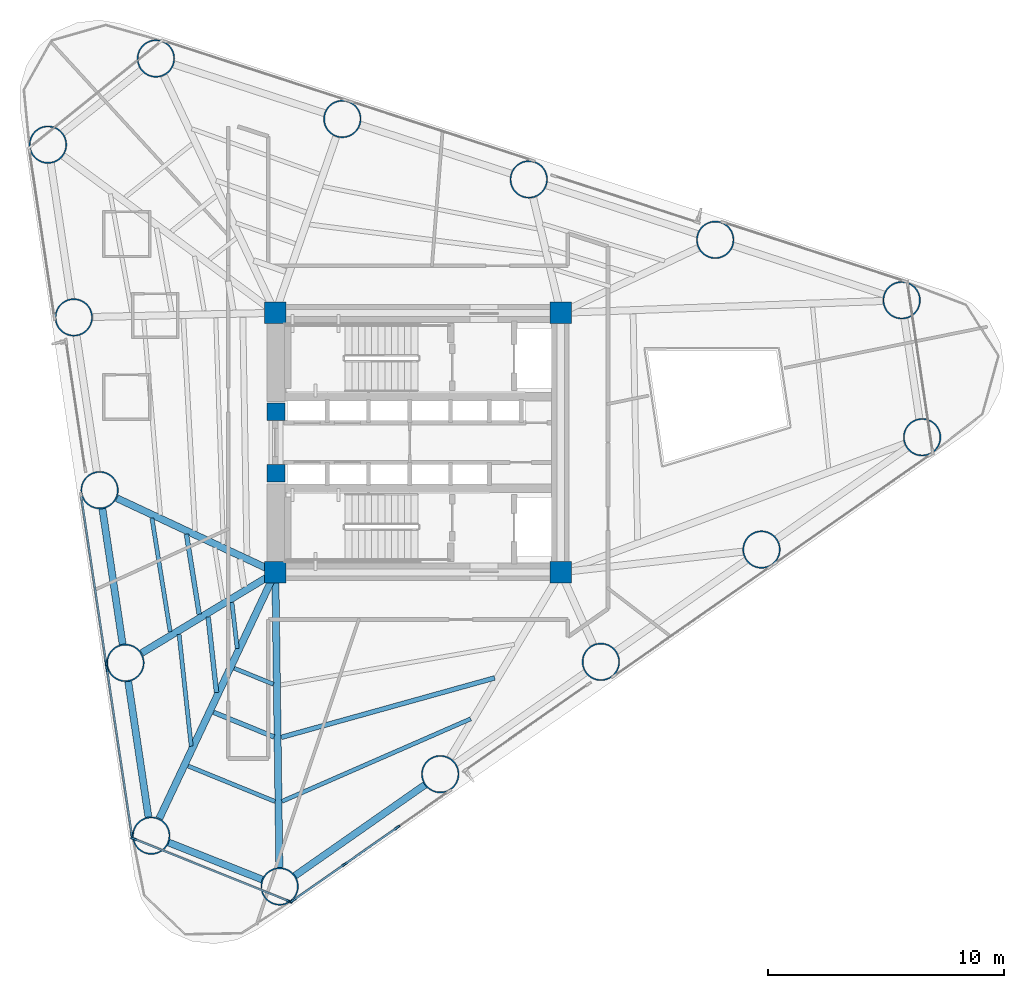
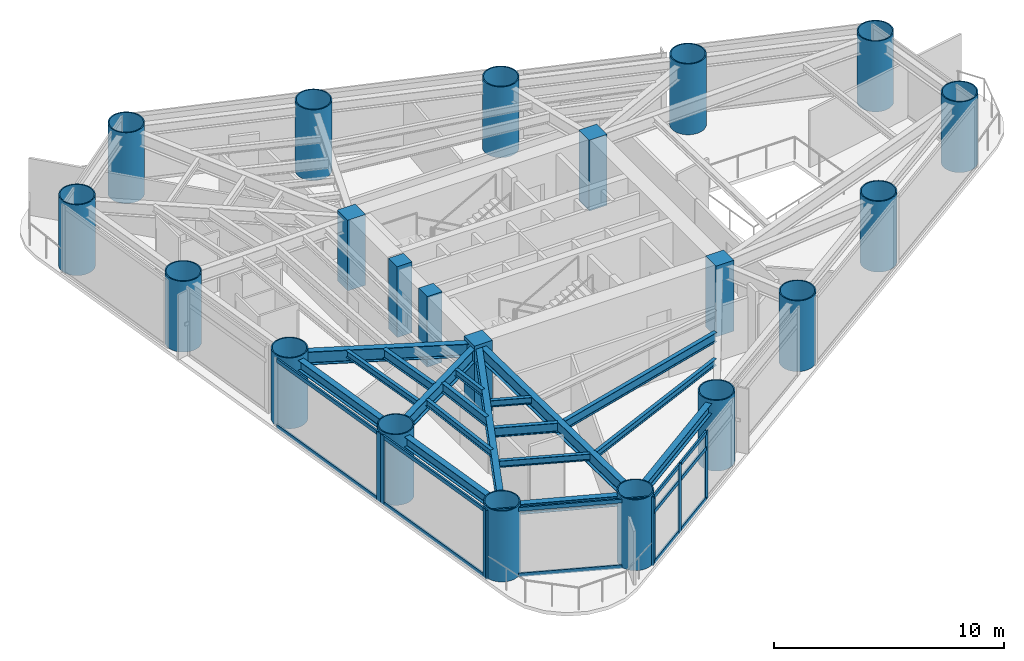
# One storey, part 1 of 9: 21 columns, 20 members, 18 beams, 4 elements without a shape of their own.
"""IFC4 building model written with IfcOpenShell, lengths in metres."""

from ifc_helpers import new_model, si_unit, direction, frame, origin, origin_2d, place, context, subcontext, project, spatial, rectangle, hollow_circle, i_section, extrude, source, transform, mapped, material, layer, layer_set, material_profile, profile_set, type_object, element, aggregate, save


model = new_model("IFC4")

# Units and contexts
model_context = context("Model", 3, precision=1e-05, world=origin(), true_north=direction((0.0, 1.0)))
body_context = subcontext(model_context, "Body", "Model", "MODEL_VIEW")
ifc_project = project(units=[si_unit("LENGTHUNIT", "METRE"), si_unit("AREAUNIT", "SQUARE_METRE"), si_unit("VOLUMEUNIT", "CUBIC_METRE"), si_unit("PLANEANGLEUNIT", "RADIAN"), si_unit("MASSUNIT", "GRAM", prefix="KILO")], contexts=[model_context])

# Site, building, storey
site_placement = place(None, origin())
site = spatial("IfcSite", under=ifc_project, at=site_placement, CompositionType="ELEMENT")
building_placement = place(site_placement, origin())
building = spatial("IfcBuilding", under=site, at=building_placement, Name="Yunling Apex Tower", CompositionType="ELEMENT")
storey_placement = place(building_placement, frame((0.0, 0.0, 58.550048828125)))
storey = spatial("IfcBuildingStorey", under=building, at=storey_placement, Name="L15", CompositionType="ELEMENT", Elevation=58.550048828125)

# Columns
ifc_material_1 = material(Name="Concrete C60", Category="concrete")
ifc_material_profile_1 = material_profile(ifc_material_1, rectangle(XDim=0.89990234375, YDim=0.89990234375, at=origin_2d()))
ifc_profile_set_1 = profile_set([ifc_material_profile_1], Name="Concrete C60")
column_type_1 = type_object("IfcColumnType", Name="PC-SRC-3", PredefinedType="COLUMN", material=ifc_profile_set_1)
shared_shape_1 = source(origin(), body_context, "Body", "SweptSolid", [
    extrude(rectangle(XDim=0.89990234375, YDim=0.89990234375, at=origin_2d()), origin(), (0.0, 0.0, 1.0), 3.75),
])
for number, where, z_axis, x_axis, name in (
    (1, (-6.050048828125, -5.5, 0.0), (0.0, 0.0, 1.0), (1.0, 0.0, 0.0), "L15 Core Spine Column CC-SW"),
    (2, (6.050048828125, -5.5, 0.0), (0.0, 0.0, 1.0), (1.0, 0.0, 0.0), "L15 Core Spine Column CC-SE"),
    (3, (6.050048828125, 5.5, 0.0), (0.0, 0.0, 1.0), (1.0, 0.0, 0.0), "L15 Core Spine Column CC-NE"),
    (4, (-6.050048828125, 5.5, 0.0), (0.0, 0.0, 1.0), (1.0, 0.0, 0.0), "L15 Core Spine Column CC-NW"),
):
    element("IfcColumn", number, at=place(storey_placement, frame(where, z_axis=z_axis, x_axis=x_axis)), inside=storey, type_object=column_type_1, Name=name, PredefinedType="COLUMN", context=body_context, shape_type="MappedRepresentation", body=[
        mapped(shared_shape_1, transform((0.0, 0.0, 0.0), scale=1.0)),
    ])
ifc_material_2 = material(Name="Concrete C50", Category="concrete")
ifc_material_profile_2 = material_profile(ifc_material_2, rectangle(XDim=0.75, YDim=0.75, at=origin_2d()))
ifc_profile_set_2 = profile_set([ifc_material_profile_2], Name="Concrete C50")
column_type_2 = type_object("IfcColumnType", Name="PC-SRC-4", PredefinedType="COLUMN", material=ifc_profile_set_2)
shared_shape_2 = source(origin(), body_context, "Body", "SweptSolid", [
    extrude(rectangle(XDim=0.75, YDim=0.75, at=origin_2d()), origin(), (0.0, 0.0, 1.0), 3.75),
])
for number, where, z_axis, x_axis, name in (
    (5, (-6.02490234375, -1.300048828125, 0.0), (0.0, 0.0, 1.0), (1.0, 0.0, 0.0), "L15 Core West Portal Jamb Column S"),
    (6, (-6.02490234375, 1.300048828125, 0.0), (0.0, 0.0, 1.0), (1.0, 0.0, 0.0), "L15 Core West Portal Jamb Column N"),
):
    element("IfcColumn", number, at=place(storey_placement, frame(where, z_axis=z_axis, x_axis=x_axis)), inside=storey, type_object=column_type_2, Name=name, PredefinedType="COLUMN", context=body_context, shape_type="MappedRepresentation", body=[
        mapped(shared_shape_2, transform((0.0, 0.0, 0.0), scale=1.0)),
    ])
ifc_material_3 = material(Name="Steel Q390GJC", Category="steel")
ifc_material_profile_3 = material_profile(ifc_material_3, hollow_circle(Radius=0.800048828125, WallThickness=0.054931640625, at=origin_2d()))
ifc_profile_set_3 = profile_set([ifc_material_profile_3], Name="Steel Q390GJC")
column_type_3 = type_object("IfcColumnType", Name="MC-CFST-1", PredefinedType="COLUMN", material=ifc_profile_set_3)
shared_shape_3 = source(origin(), body_context, "Body", "SweptSolid", [
    extrude(hollow_circle(Radius=0.800048828125, WallThickness=0.054931640625, at=origin_2d()), origin(), (0.0, 0.0, 1.0), 3.75),
])
for number, where, z_axis, x_axis, name in (
    (7, (-5.8681640625, -18.8193359375, 0.0), (0.0, 0.0, 1.0), (1.0, 0.0, 0.0), "L15 Perimeter CFST Mega-Column P01"),
    (8, (0.941650390625, -14.05810546875, 0.0), (0.0, 0.0, 1.0), (1.0, 0.0, 0.0), "L15 Perimeter CFST Mega-Column P02"),
    (9, (7.751708984375, -9.296875, 0.0), (0.0, 0.0, 1.0), (1.0, 0.0, 0.0), "L15 Perimeter CFST Mega-Column P03"),
    (10, (14.5615234375, -4.535400390625, 0.0), (0.0, 0.0, 1.0), (1.0, 0.0, 0.0), "L15 Perimeter CFST Mega-Column P04"),
    (11, (21.371337890625, 0.225830078125, 0.0), (0.0, 0.0, 1.0), (1.0, 0.0, 0.0), "L15 Perimeter CFST Mega-Column P05"),
    (12, (20.50341796875, 6.032470703125, 0.0), (0.0, 0.0, 1.0), (1.0, 0.0, 0.0), "L15 Perimeter CFST Mega-Column P06"),
    (13, (12.59912109375, 8.594482421875, 0.0), (0.0, 0.0, 1.0), (1.0, 0.0, 0.0), "L15 Perimeter CFST Mega-Column P07"),
    (14, (4.69482421875, 11.15673828125, 0.0), (0.0, 0.0, 1.0), (1.0, 0.0, 0.0), "L15 Perimeter CFST Mega-Column P08"),
    (15, (-3.209716796875, 13.718994140625, 0.0), (0.0, 0.0, 1.0), (1.0, 0.0, 0.0), "L15 Perimeter CFST Mega-Column P09"),
    (16, (-11.114013671875, 16.28125, 0.0), (0.0, 0.0, 1.0), (1.0, 0.0, 0.0), "L15 Perimeter CFST Mega-Column P10"),
    (17, (-15.689208984375, 12.62939453125, 0.0), (0.0, 0.0, 1.0), (1.0, 0.0, 0.0), "L15 Perimeter CFST Mega-Column P11"),
    (18, (-14.594482421875, 5.305908203125, 0.0), (0.0, 0.0, 1.0), (1.0, 0.0, 0.0), "L15 Perimeter CFST Mega-Column P12"),
    (19, (-13.5, -2.017578125, 0.0), (0.0, 0.0, 1.0), (1.0, 0.0, 0.0), "L15 Perimeter CFST Mega-Column P13"),
    (20, (-12.405517578125, -9.341064453125, 0.0), (0.0, 0.0, 1.0), (1.0, 0.0, 0.0), "L15 Perimeter CFST Mega-Column P14"),
    (21, (-11.31103515625, -16.66455078125, 0.0), (0.0, 0.0, 1.0), (1.0, 0.0, 0.0), "L15 Perimeter CFST Mega-Column P15"),
):
    element("IfcColumn", number, at=place(storey_placement, frame(where, z_axis=z_axis, x_axis=x_axis)), inside=storey, type_object=column_type_3, Name=name, PredefinedType="COLUMN", context=body_context, shape_type="MappedRepresentation", body=[
        mapped(shared_shape_3, transform((0.0, 0.0, 0.0), scale=1.0)),
    ])

# Beams
ifc_material_4 = material(Name="Steel Q355B", Category="steel")
ifc_material_profile_4 = material_profile(ifc_material_4, i_section(OverallWidth=0.300048828125, OverallDepth=0.5400390625, WebThickness=0.011962890625, FlangeThickness=0.02001953125, FilletRadius=0.02392578125, at=origin_2d()))
ifc_profile_set_4 = profile_set([ifc_material_profile_4], Name="Steel Q355B")
beam_type_1 = type_object("IfcBeamType", Name="BP-SPN-1", PredefinedType="SPANDREL", material=ifc_profile_set_4)
shared_shape_4 = source(origin(), body_context, "Body", "SweptSolid", [
    extrude(i_section(OverallWidth=0.300048828125, OverallDepth=0.5400390625, WebThickness=0.011962890625, FlangeThickness=0.02001953125, FilletRadius=0.02392578125, at=origin_2d()), origin(), (0.0, 0.0, 1.0), 6.721435546875),
])
beam_1_placement = place(storey_placement, frame((-5.217529296875, -18.364501953125, 3.294921875), z_axis=(0.81955772083, 0.572996633697, 0.0), x_axis=(-0.572996633697, 0.81955772083, 0.0)))
element("IfcBeam", 22, at=beam_1_placement, inside=storey, type_object=beam_type_1, Name="L15 Perimeter Spandrel Beam 1", PredefinedType="SPANDREL", context=body_context, shape_type="MappedRepresentation", body=[
    mapped(shared_shape_4, transform((0.0, 0.0, 0.0), scale=1.0)),
])
shared_shape_5 = source(origin(), body_context, "Body", "SweptSolid", [
    extrude(i_section(OverallWidth=0.300048828125, OverallDepth=0.5400390625, WebThickness=0.011962890625, FlangeThickness=0.02001953125, FilletRadius=0.02392578125, at=origin_2d()), origin(), (0.0, 0.0, 1.0), 4.265869140625),
])
beam_2_placement = place(storey_placement, frame((-10.57275390625, -16.956787109375, 3.294921875), z_axis=(0.929781313093, -0.368112360323, 0.0), x_axis=(0.368112360323, 0.929781313093, 0.0)))
element("IfcBeam", 23, at=beam_2_placement, inside=storey, type_object=beam_type_1, Name="L15 Perimeter Spandrel Beam 15", PredefinedType="SPANDREL", context=body_context, shape_type="MappedRepresentation", body=[
    mapped(shared_shape_5, transform((0.0, 0.0, 0.0), scale=1.0)),
])
shared_shape_6 = source(origin(), body_context, "Body", "SweptSolid", [
    extrude(i_section(OverallWidth=0.300048828125, OverallDepth=0.5400390625, WebThickness=0.011962890625, FlangeThickness=0.02001953125, FilletRadius=0.02392578125, at=origin_2d()), origin(), (0.0, 0.0, 1.0), 5.81689453125),
])
for number, where, z_axis, x_axis, name in (
    (24, (-13.3828125, -2.802978515625, 3.294921875), (0.147823230204, -0.989013797989, 0.0), (0.989013797989, 0.147823230204, 0.0), "L15 Perimeter Spandrel Beam 13"),
    (25, (-12.2880859375, -10.12646484375, 3.294921875), (0.14778217558, -0.989019933359, 0.0), (0.989019933359, 0.14778217558, 0.0), "L15 Perimeter Spandrel Beam 14"),
):
    element("IfcBeam", number, at=place(storey_placement, frame(where, z_axis=z_axis, x_axis=x_axis)), inside=storey, type_object=beam_type_1, Name=name, PredefinedType="SPANDREL", context=body_context, shape_type="MappedRepresentation", body=[
        mapped(shared_shape_6, transform((0.0, 0.0, 0.0), scale=1.0)),
    ])
ifc_material_profile_5 = material_profile(ifc_material_4, i_section(OverallWidth=0.300048828125, OverallDepth=0.699951171875, WebThickness=0.012939453125, FlangeThickness=0.02392578125, FilletRadius=0.02587890625, at=origin_2d()))
ifc_profile_set_5 = profile_set([ifc_material_profile_5], Name="Steel Q355B")
beam_type_2 = type_object("IfcBeamType", Name="BG-PRI-3", PredefinedType="USERDEFINED", material=ifc_profile_set_5)
shared_shape_7 = source(origin(), body_context, "Body", "SweptSolid", [
    extrude(i_section(OverallWidth=0.300048828125, OverallDepth=0.699951171875, WebThickness=0.012939453125, FlangeThickness=0.02392578125, FilletRadius=0.02587890625, at=origin_2d()), origin(), (0.0, 0.0, 1.0), 12.4326171875),
])
beam_3_placement = place(storey_placement, frame((-5.879150390625, -18.011474609375, 3.21484375), z_axis=(-0.013647857779, 0.999906863652, 0.0), x_axis=(-0.999906863652, -0.013647857779, 0.0)))
element("IfcBeam", 26, at=beam_3_placement, inside=storey, type_object=beam_type_2, Name="L15 Radial Primary Girder R01", ObjectType="GIRDER", PredefinedType="USERDEFINED", context=body_context, shape_type="MappedRepresentation", body=[
    mapped(shared_shape_7, transform((0.0, 0.0, 0.0), scale=1.0)),
])
shared_shape_8 = source(origin(), body_context, "Body", "SweptSolid", [
    extrude(i_section(OverallWidth=0.300048828125, OverallDepth=0.699951171875, WebThickness=0.012939453125, FlangeThickness=0.02392578125, FilletRadius=0.02587890625, at=origin_2d()), origin(), (0.0, 0.0, 1.0), 7.335693359375),
])
beam_4_placement = place(storey_placement, frame((-12.76806640625, -2.35986328125, 3.21484375), z_axis=(0.905923640783, -0.423441090437, 0.0), x_axis=(0.423441090437, 0.905923640783, 0.0)))
element("IfcBeam", 27, at=beam_4_placement, inside=storey, type_object=beam_type_2, Name="L15 Radial Primary Girder R13", ObjectType="GIRDER", PredefinedType="USERDEFINED", context=body_context, shape_type="MappedRepresentation", body=[
    mapped(shared_shape_8, transform((0.0, 0.0, 0.0), scale=1.0)),
])
shared_shape_9 = source(origin(), body_context, "Body", "SweptSolid", [
    extrude(i_section(OverallWidth=0.300048828125, OverallDepth=0.699951171875, WebThickness=0.012939453125, FlangeThickness=0.02392578125, FilletRadius=0.02587890625, at=origin_2d()), origin(), (0.0, 0.0, 1.0), 6.5380859375),
])
beam_5_placement = place(storey_placement, frame((-11.714111328125, -8.923095703125, 3.21484375), z_axis=(0.855857690559, 0.517211381847, 0.0), x_axis=(-0.517211381847, 0.855857690559, 0.0)))
element("IfcBeam", 28, at=beam_5_placement, inside=storey, type_object=beam_type_2, Name="L15 Radial Primary Girder R14", ObjectType="GIRDER", PredefinedType="USERDEFINED", context=body_context, shape_type="MappedRepresentation", body=[
    mapped(shared_shape_9, transform((0.0, 0.0, 0.0), scale=1.0)),
])
shared_shape_10 = source(origin(), body_context, "Body", "SweptSolid", [
    extrude(i_section(OverallWidth=0.300048828125, OverallDepth=0.699951171875, WebThickness=0.012939453125, FlangeThickness=0.02392578125, FilletRadius=0.02587890625, at=origin_2d()), origin(), (0.0, 0.0, 1.0), 11.4541015625),
])
beam_6_placement = place(storey_placement, frame((-10.966796875, -15.93359375, 3.21484375), z_axis=(0.426297901301, 0.904582831667, 0.0), x_axis=(-0.904582831667, 0.426297901301, 0.0)))
element("IfcBeam", 29, at=beam_6_placement, inside=storey, type_object=beam_type_2, Name="L15 Radial Primary Girder R15", ObjectType="GIRDER", PredefinedType="USERDEFINED", context=body_context, shape_type="MappedRepresentation", body=[
    mapped(shared_shape_10, transform((0.0, 0.0, 0.0), scale=1.0)),
])
ifc_material_profile_6 = material_profile(ifc_material_4, i_section(OverallWidth=0.199951171875, OverallDepth=0.5, WebThickness=0.010009765625, FlangeThickness=0.01611328125, FilletRadius=0.02001953125, at=origin_2d()))
ifc_profile_set_6 = profile_set([ifc_material_profile_6], Name="Steel Q355B")
beam_type_3 = type_object("IfcBeamType", Name="BS-SEC-2", PredefinedType="BEAM", material=ifc_profile_set_6)
shared_shape_11 = source(origin(), body_context, "Body", "SweptSolid", [
    extrude(i_section(OverallWidth=0.199951171875, OverallDepth=0.5, WebThickness=0.010009765625, FlangeThickness=0.01611328125, FilletRadius=0.02001953125, at=origin_2d()), origin(), (0.0, 0.0, 1.0), 9.3935546875),
])
beam_7_placement = place(storey_placement, frame((-5.7998046875, -12.498779296875, 3.31494140625), z_axis=(0.963300137935, 0.268426608693, 0.0), x_axis=(-0.268426608693, 0.963300137935, 0.0)))
element("IfcBeam", 30, at=beam_7_placement, inside=storey, type_object=beam_type_3, Name="L15 Composite Floor Beam BS-1", PredefinedType="BEAM", context=body_context, shape_type="MappedRepresentation", body=[
    mapped(shared_shape_11, transform((0.0, 0.0, 0.0), scale=1.0)),
])
ifc_material_profile_7 = material_profile(ifc_material_4, i_section(OverallWidth=0.175048828125, OverallDepth=0.35009765625, WebThickness=0.007080078125, FlangeThickness=0.010986328125, FilletRadius=0.013916015625, at=origin_2d()))
ifc_profile_set_7 = profile_set([ifc_material_profile_7], Name="Steel Q355B")
beam_type_4 = type_object("IfcBeamType", Name="BJ-JST-1", PredefinedType="JOIST", material=ifc_profile_set_7)
shared_shape_12 = source(origin(), body_context, "Body", "SweptSolid", [
    extrude(i_section(OverallWidth=0.175048828125, OverallDepth=0.35009765625, WebThickness=0.007080078125, FlangeThickness=0.010986328125, FilletRadius=0.013916015625, at=origin_2d()), origin(), (0.0, 0.0, 1.0), 8.734375),
])
beam_8_placement = place(storey_placement, frame((-5.77001953125, -15.21240234375, 3.389892578125), z_axis=(0.916252252871, 0.400601808668, 0.0), x_axis=(-0.400601808668, 0.916252252871, 0.0)))
element("IfcBeam", 31, at=beam_8_placement, inside=storey, type_object=beam_type_4, Name="L15 Composite Floor Joist BJ1-1", PredefinedType="JOIST", context=body_context, shape_type="MappedRepresentation", body=[
    mapped(shared_shape_12, transform((0.0, 0.0, 0.0), scale=1.0)),
])
shared_shape_13 = source(origin(), body_context, "Body", "SweptSolid", [
    extrude(i_section(OverallWidth=0.199951171875, OverallDepth=0.5, WebThickness=0.010009765625, FlangeThickness=0.01611328125, FilletRadius=0.02001953125, at=origin_2d()), origin(), (0.0, 0.0, 1.0), 3.435546875),
])
beam_9_placement = place(storey_placement, frame((-9.81884765625, -3.884521484375, 3.31494140625), z_axis=(0.157619096627, -0.987499985002, 0.0), x_axis=(0.987499985002, 0.157619096627, 0.0)))
element("IfcBeam", 32, at=beam_9_placement, inside=storey, type_object=beam_type_3, Name="L15 Composite Floor Beam BS-13", PredefinedType="BEAM", context=body_context, shape_type="MappedRepresentation", body=[
    mapped(shared_shape_13, transform((0.0, 0.0, 0.0), scale=1.0)),
])
shared_shape_14 = source(origin(), body_context, "Body", "SweptSolid", [
    extrude(i_section(OverallWidth=0.175048828125, OverallDepth=0.35009765625, WebThickness=0.007080078125, FlangeThickness=0.010986328125, FilletRadius=0.013916015625, at=origin_2d()), origin(), (0.0, 0.0, 1.0), 4.881591796875),
])
beam_10_placement = place(storey_placement, frame((-11.28076171875, -3.201171875, 3.389892578125), z_axis=(0.158240169421, -0.987400652614, 0.0), x_axis=(0.987400652614, 0.158240169421, 0.0)))
element("IfcBeam", 33, at=beam_10_placement, inside=storey, type_object=beam_type_4, Name="L15 Composite Floor Joist BJ1-13", PredefinedType="JOIST", context=body_context, shape_type="MappedRepresentation", body=[
    mapped(shared_shape_14, transform((0.0, 0.0, 0.0), scale=1.0)),
])
shared_shape_15 = source(origin(), body_context, "Body", "SweptSolid", [
    extrude(i_section(OverallWidth=0.199951171875, OverallDepth=0.5, WebThickness=0.010009765625, FlangeThickness=0.01611328125, FilletRadius=0.02001953125, at=origin_2d()), origin(), (0.0, 0.0, 1.0), 3.222412109375),
])
beam_11_placement = place(storey_placement, frame((-8.898681640625, -7.391357421875, 3.31494140625), z_axis=(0.110315104592, -0.993896663491, 0.0), x_axis=(0.993896663491, 0.110315104592, 0.0)))
element("IfcBeam", 34, at=beam_11_placement, inside=storey, type_object=beam_type_3, Name="L15 Composite Floor Beam BS-14", PredefinedType="BEAM", context=body_context, shape_type="MappedRepresentation", body=[
    mapped(shared_shape_15, transform((0.0, 0.0, 0.0), scale=1.0)),
])
shared_shape_16 = source(origin(), body_context, "Body", "SweptSolid", [
    extrude(i_section(OverallWidth=0.175048828125, OverallDepth=0.35009765625, WebThickness=0.007080078125, FlangeThickness=0.010986328125, FilletRadius=0.013916015625, at=origin_2d()), origin(), (0.0, 0.0, 1.0), 4.765869140625),
])
beam_12_placement = place(storey_placement, frame((-10.130126953125, -8.135498046875, 3.389892578125), z_axis=(0.107732282993, -0.994179941058, 0.0), x_axis=(0.994179941058, 0.107732282993, 0.0)))
element("IfcBeam", 35, at=beam_12_placement, inside=storey, type_object=beam_type_4, Name="L15 Composite Floor Joist BJ1-14", PredefinedType="JOIST", context=body_context, shape_type="MappedRepresentation", body=[
    mapped(shared_shape_16, transform((0.0, 0.0, 0.0), scale=1.0)),
])
shared_shape_17 = source(origin(), body_context, "Body", "SweptSolid", [
    extrude(i_section(OverallWidth=0.175048828125, OverallDepth=0.35009765625, WebThickness=0.007080078125, FlangeThickness=0.010986328125, FilletRadius=0.013916015625, at=origin_2d()), origin(), (0.0, 0.0, 1.0), 1.95947265625),
])
beam_13_placement = place(storey_placement, frame((-7.890625, -6.782470703125, 3.389892578125), z_axis=(0.11512063256, -0.993351518829, 0.0), x_axis=(0.993351518829, 0.11512063256, 0.0)))
element("IfcBeam", 36, at=beam_13_placement, inside=storey, type_object=beam_type_4, Name="L15 Composite Floor Joist BJ3-14", PredefinedType="JOIST", context=body_context, shape_type="MappedRepresentation", body=[
    mapped(shared_shape_17, transform((0.0, 0.0, 0.0), scale=1.0)),
])
shared_shape_18 = source(origin(), body_context, "Body", "SweptSolid", [
    extrude(i_section(OverallWidth=0.199951171875, OverallDepth=0.5, WebThickness=0.010009765625, FlangeThickness=0.01611328125, FilletRadius=0.02001953125, at=origin_2d()), origin(), (0.0, 0.0, 1.0), 2.77294921875),
])
beam_14_placement = place(storey_placement, frame((-8.670166015625, -11.43505859375, 3.31494140625), z_axis=(0.926108309986, -0.377257734413, 0.0), x_axis=(0.377257734413, 0.926108309986, 0.0)))
element("IfcBeam", 37, at=beam_14_placement, inside=storey, type_object=beam_type_3, Name="L15 Composite Floor Beam BS-15", PredefinedType="BEAM", context=body_context, shape_type="MappedRepresentation", body=[
    mapped(shared_shape_18, transform((0.0, 0.0, 0.0), scale=1.0)),
])
shared_shape_19 = source(origin(), body_context, "Body", "SweptSolid", [
    extrude(i_section(OverallWidth=0.175048828125, OverallDepth=0.35009765625, WebThickness=0.007080078125, FlangeThickness=0.010986328125, FilletRadius=0.013916015625, at=origin_2d()), origin(), (0.0, 0.0, 1.0), 3.97412109375),
])
beam_15_placement = place(storey_placement, frame((-9.744384765625, -13.714599609375, 3.389892578125), z_axis=(0.925887115862, -0.377800276178, 0.0), x_axis=(0.377800276178, 0.925887115862, 0.0)))
element("IfcBeam", 38, at=beam_15_placement, inside=storey, type_object=beam_type_4, Name="L15 Composite Floor Joist BJ1-15", PredefinedType="JOIST", context=body_context, shape_type="MappedRepresentation", body=[
    mapped(shared_shape_19, transform((0.0, 0.0, 0.0), scale=1.0)),
])
shared_shape_20 = source(origin(), body_context, "Body", "SweptSolid", [
    extrude(i_section(OverallWidth=0.175048828125, OverallDepth=0.35009765625, WebThickness=0.007080078125, FlangeThickness=0.010986328125, FilletRadius=0.013916015625, at=origin_2d()), origin(), (0.0, 0.0, 1.0), 1.790283203125),
])
beam_16_placement = place(storey_placement, frame((-7.791259765625, -9.56982421875, 3.389892578125), z_axis=(0.926469549023, -0.376369731425, 0.0), x_axis=(0.376369731425, 0.926469549023, 0.0)))
element("IfcBeam", 39, at=beam_16_placement, inside=storey, type_object=beam_type_4, Name="L15 Composite Floor Joist BJ3-15", PredefinedType="JOIST", context=body_context, shape_type="MappedRepresentation", body=[
    mapped(shared_shape_20, transform((0.0, 0.0, 0.0), scale=1.0)),
])

# Curtain wall, members
ifc_material_5 = material(Name="Bronze anodised aluminium", Category="aluminium")
ifc_layer = layer(ifc_material_5, 0.260009765625)
ifc_layer_set = layer_set([ifc_layer], Name="Bronze anodised aluminium")
curtain_wall_type = type_object("IfcCurtainWallType", Name="CW-SYS-2", PredefinedType="NOTDEFINED", material=ifc_layer_set)
curtain_wall_1_placement = place(storey_placement, origin())
curtain_wall_1 = element("IfcCurtainWall", 40, at=curtain_wall_1_placement, inside=storey, type_object=curtain_wall_type, Name="CW-L15-F1-B1", PredefinedType="NOTDEFINED")
ifc_material_profile_8 = material_profile(ifc_material_5, rectangle(XDim=0.0849609375, YDim=0.260009765625, at=origin_2d()))
ifc_profile_set_8 = profile_set([ifc_material_profile_8], Name="Bronze anodised aluminium")
member_type_1 = type_object("IfcMemberType", Name="CW-MUL-2", PredefinedType="MULLION", material=ifc_profile_set_8)
shared_shape_21 = source(origin(), body_context, "Body", "SweptSolid", [
    extrude(rectangle(XDim=0.0849609375, YDim=0.260009765625, at=origin_2d()), origin(), (0.0, 0.0, 1.0), 3.6650390625),
])
member_1_placement = place(storey_placement, frame((-5.3037109375, -19.412841796875, -0.050048828125), z_axis=(0.0, 0.0, 1.0), x_axis=(-0.573004358875, 0.819552319691, 0.0)))
member_1 = element("IfcMember", 41, at=member_1_placement, type_object=member_type_1, Name="CW-SYS-2 mullion 1", PredefinedType="MULLION", context=body_context, shape_type="MappedRepresentation", body=[
    mapped(shared_shape_21, transform((0.0, 0.0, 0.0), scale=1.0)),
])
member_2_placement = place(storey_placement, frame((-3.1123046875, -17.880859375, -0.050048828125), z_axis=(0.0, 0.0, 1.0), x_axis=(-0.573004358875, 0.819552319691, 0.0)))
member_2 = element("IfcMember", 42, at=member_2_placement, type_object=member_type_1, Name="CW-SYS-2 mullion 2", PredefinedType="MULLION", context=body_context, shape_type="MappedRepresentation", body=[
    mapped(shared_shape_21, transform((0.0, 0.0, 0.0), scale=1.0)),
])
member_3_placement = place(storey_placement, frame((-0.885986328125, -16.32421875, -0.050048828125), z_axis=(0.0, 0.0, 1.0), x_axis=(-0.573004358875, 0.819552319691, 0.0)))
member_3 = element("IfcMember", 43, at=member_3_placement, type_object=member_type_1, Name="CW-SYS-2 mullion 3", PredefinedType="MULLION", context=body_context, shape_type="MappedRepresentation", body=[
    mapped(shared_shape_21, transform((0.0, 0.0, 0.0), scale=1.0)),
])

# Curtain wall, member
curtain_wall_2_placement = place(storey_placement, origin())
curtain_wall_2 = element("IfcCurtainWall", 44, at=curtain_wall_2_placement, inside=storey, type_object=curtain_wall_type, Name="CW-L15-F3-B3", PredefinedType="NOTDEFINED")
member_4_placement = place(storey_placement, frame((-13.224853515625, -9.339599609375, -0.050048828125), z_axis=(0.0, 0.0, 1.0), x_axis=(0.98901508166, 0.147814641525, 0.0)))
member_4 = element("IfcMember", 45, at=member_4_placement, type_object=member_type_1, Name="CW-SYS-2 mullion 2", PredefinedType="MULLION", context=body_context, shape_type="MappedRepresentation", body=[
    mapped(shared_shape_21, transform((0.0, 0.0, 0.0), scale=1.0)),
])

# Curtain wall, members
curtain_wall_3_placement = place(storey_placement, origin())
curtain_wall_3 = element("IfcCurtainWall", 46, at=curtain_wall_3_placement, inside=storey, type_object=curtain_wall_type, Name="CW-L15-F3-B4", PredefinedType="NOTDEFINED")
member_5_placement = place(storey_placement, frame((-13.1884765625, -9.58203125, -0.050048828125), z_axis=(0.0, 0.0, 1.0), x_axis=(0.989017099422, 0.14780114022, 0.0)))
member_5 = element("IfcMember", 47, at=member_5_placement, type_object=member_type_1, Name="CW-SYS-2 mullion 1", PredefinedType="MULLION", context=body_context, shape_type="MappedRepresentation", body=[
    mapped(shared_shape_21, transform((0.0, 0.0, 0.0), scale=1.0)),
])
member_6_placement = place(storey_placement, frame((-12.13037109375, -16.6630859375, -0.050048828125), z_axis=(0.0, 0.0, 1.0), x_axis=(0.989017099422, 0.14780114022, 0.0)))
member_6 = element("IfcMember", 48, at=member_6_placement, type_object=member_type_1, Name="CW-SYS-2 mullion 2", PredefinedType="MULLION", context=body_context, shape_type="MappedRepresentation", body=[
    mapped(shared_shape_21, transform((0.0, 0.0, 0.0), scale=1.0)),
])

curtain_wall_4_placement = place(storey_placement, origin())
curtain_wall_4 = element("IfcCurtainWall", 49, at=curtain_wall_4_placement, inside=storey, type_object=curtain_wall_type, Name="CW-L15-CRN3", PredefinedType="NOTDEFINED")
member_7_placement = place(storey_placement, frame((-12.052978515625, -16.79736328125, -0.050048828125), z_axis=(0.0, 0.0, 1.0), x_axis=(0.373143693329, 0.927773562961, 0.0)))
member_7 = element("IfcMember", 50, at=member_7_placement, type_object=member_type_1, Name="CW-SYS-2 mullion 1", PredefinedType="MULLION", context=body_context, shape_type="MappedRepresentation", body=[
    mapped(shared_shape_21, transform((0.0, 0.0, 0.0), scale=1.0)),
])
member_8_placement = place(storey_placement, frame((-5.454833984375, -19.450927734375, -0.050048828125), z_axis=(0.0, 0.0, 1.0), x_axis=(0.373143693329, 0.927773562961, 0.0)))
member_8 = element("IfcMember", 51, at=member_8_placement, type_object=member_type_1, Name="CW-SYS-2 mullion 2", PredefinedType="MULLION", context=body_context, shape_type="MappedRepresentation", body=[
    mapped(shared_shape_21, transform((0.0, 0.0, 0.0), scale=1.0)),
])

# Member
ifc_material_profile_9 = material_profile(ifc_material_5, rectangle(XDim=0.0849609375, YDim=0.199951171875, at=origin_2d()))
ifc_profile_set_9 = profile_set([ifc_material_profile_9], Name="Bronze anodised aluminium")
member_type_2 = type_object("IfcMemberType", Name="CW-TRN-2", PredefinedType="USERDEFINED", material=ifc_profile_set_9)
shared_shape_22 = source(origin(), body_context, "Body", "SweptSolid", [
    extrude(rectangle(XDim=0.0849609375, YDim=0.199951171875, at=origin_2d()), origin(), (0.0, 0.0, 1.0), 2.597412109375),
])
member_9_placement = place(storey_placement, frame((-5.272216796875, -19.39111328125, 0.04248046875), z_axis=(0.819510013096, 0.573064864073, 0.0), x_axis=(-0.573064864073, 0.819510013096, 0.0)))
member_9 = element("IfcMember", 52, at=member_9_placement, type_object=member_type_2, Name="CW-SYS-2 transom 1.1", ObjectType="TRANSOM", PredefinedType="USERDEFINED", context=body_context, shape_type="MappedRepresentation", body=[
    mapped(shared_shape_22, transform((0.0, 0.0, 0.0), scale=1.0)),
])

member_10_placement = place(storey_placement, frame((-5.272216796875, -19.39111328125, 2.71484375), z_axis=(0.819510013096, 0.573064864073, 0.0), x_axis=(-0.573064864073, 0.819510013096, 0.0)))
member_10 = element("IfcMember", 53, at=member_10_placement, type_object=member_type_2, Name="CW-SYS-2 transom 1.2", ObjectType="TRANSOM", PredefinedType="USERDEFINED", context=body_context, shape_type="MappedRepresentation", body=[
    mapped(shared_shape_22, transform((0.0, 0.0, 0.0), scale=1.0)),
])

member_11_placement = place(storey_placement, frame((-5.272216796875, -19.39111328125, 3.5224609375), z_axis=(0.819510013096, 0.573064864073, 0.0), x_axis=(-0.573064864073, 0.819510013096, 0.0)))
member_11 = element("IfcMember", 54, at=member_11_placement, type_object=member_type_2, Name="CW-SYS-2 transom 1.3", ObjectType="TRANSOM", PredefinedType="USERDEFINED", context=body_context, shape_type="MappedRepresentation", body=[
    mapped(shared_shape_22, transform((0.0, 0.0, 0.0), scale=1.0)),
])

shared_shape_23 = source(origin(), body_context, "Body", "SweptSolid", [
    extrude(rectangle(XDim=0.0849609375, YDim=0.199951171875, at=origin_2d()), origin(), (0.0, 0.0, 1.0), 2.639892578125),
])
member_12_placement = place(storey_placement, frame((-3.080810546875, -17.85888671875, 0.04248046875), z_axis=(0.81955329767, 0.573002960095, 0.0), x_axis=(-0.573002960095, 0.81955329767, 0.0)))
member_12 = element("IfcMember", 55, at=member_12_placement, type_object=member_type_2, Name="CW-SYS-2 transom 2.1", ObjectType="TRANSOM", PredefinedType="USERDEFINED", context=body_context, shape_type="MappedRepresentation", body=[
    mapped(shared_shape_23, transform((0.0, 0.0, 0.0), scale=1.0)),
])

member_13_placement = place(storey_placement, frame((-3.080810546875, -17.85888671875, 2.71484375), z_axis=(0.81955329767, 0.573002960095, 0.0), x_axis=(-0.573002960095, 0.81955329767, 0.0)))
member_13 = element("IfcMember", 56, at=member_13_placement, type_object=member_type_2, Name="CW-SYS-2 transom 2.2", ObjectType="TRANSOM", PredefinedType="USERDEFINED", context=body_context, shape_type="MappedRepresentation", body=[
    mapped(shared_shape_23, transform((0.0, 0.0, 0.0), scale=1.0)),
])

member_14_placement = place(storey_placement, frame((-3.080810546875, -17.85888671875, 3.5224609375), z_axis=(0.81955329767, 0.573002960095, 0.0), x_axis=(-0.573002960095, 0.81955329767, 0.0)))
member_14 = element("IfcMember", 57, at=member_14_placement, type_object=member_type_2, Name="CW-SYS-2 transom 2.3", ObjectType="TRANSOM", PredefinedType="USERDEFINED", context=body_context, shape_type="MappedRepresentation", body=[
    mapped(shared_shape_23, transform((0.0, 0.0, 0.0), scale=1.0)),
])

aggregate(curtain_wall_1, [member_1, member_2, member_3, member_9, member_10, member_11, member_12, member_13, member_14])

shared_shape_24 = source(origin(), body_context, "Body", "SweptSolid", [
    extrude(rectangle(XDim=0.0849609375, YDim=0.199951171875, at=origin_2d()), origin(), (0.0, 0.0, 1.0), 7.03515625),
])
member_15_placement = place(storey_placement, frame((-12.017578125, -16.8115234375, 0.04248046875), z_axis=(0.927768998615, -0.373155041784, 0.0), x_axis=(0.373155041784, 0.927768998615, 0.0)))
member_15 = element("IfcMember", 58, at=member_15_placement, type_object=member_type_2, Name="CW-SYS-2 transom 1.1", ObjectType="TRANSOM", PredefinedType="USERDEFINED", context=body_context, shape_type="MappedRepresentation", body=[
    mapped(shared_shape_24, transform((0.0, 0.0, 0.0), scale=1.0)),
])

member_16_placement = place(storey_placement, frame((-12.017578125, -16.8115234375, 3.5224609375), z_axis=(0.927768998615, -0.373155041784, 0.0), x_axis=(0.373155041784, 0.927768998615, 0.0)))
member_16 = element("IfcMember", 59, at=member_16_placement, type_object=member_type_2, Name="CW-SYS-2 transom 1.2", ObjectType="TRANSOM", PredefinedType="USERDEFINED", context=body_context, shape_type="MappedRepresentation", body=[
    mapped(shared_shape_24, transform((0.0, 0.0, 0.0), scale=1.0)),
])

aggregate(curtain_wall_4, [member_7, member_8, member_15, member_16])

shared_shape_25 = source(origin(), body_context, "Body", "SweptSolid", [
    extrude(rectangle(XDim=0.0849609375, YDim=0.199951171875, at=origin_2d()), origin(), (0.0, 0.0, 1.0), 7.08349609375),
])
member_17_placement = place(storey_placement, frame((-14.27734375, -2.296142578125, 0.04248046875), z_axis=(0.147792672874, -0.989018364766, 0.0), x_axis=(0.989018364766, 0.147792672874, 0.0)))
member_17 = element("IfcMember", 60, at=member_17_placement, type_object=member_type_2, Name="CW-SYS-2 transom 1.1", ObjectType="TRANSOM", PredefinedType="USERDEFINED", context=body_context, shape_type="MappedRepresentation", body=[
    mapped(shared_shape_25, transform((0.0, 0.0, 0.0), scale=1.0)),
])

member_18_placement = place(storey_placement, frame((-14.27734375, -2.296142578125, 3.5224609375), z_axis=(0.147792672874, -0.989018364766, 0.0), x_axis=(0.989018364766, 0.147792672874, 0.0)))
member_18 = element("IfcMember", 61, at=member_18_placement, type_object=member_type_2, Name="CW-SYS-2 transom 1.2", ObjectType="TRANSOM", PredefinedType="USERDEFINED", context=body_context, shape_type="MappedRepresentation", body=[
    mapped(shared_shape_25, transform((0.0, 0.0, 0.0), scale=1.0)),
])

aggregate(curtain_wall_2, [member_4, member_17, member_18])

shared_shape_26 = source(origin(), body_context, "Body", "SweptSolid", [
    extrude(rectangle(XDim=0.0849609375, YDim=0.199951171875, at=origin_2d()), origin(), (0.0, 0.0, 1.0), 7.083251953125),
])
member_19_placement = place(storey_placement, frame((-13.182861328125, -9.619873046875, 0.04248046875), z_axis=(0.147797711012, -0.989017611886, 0.0), x_axis=(0.989017611886, 0.147797711012, 0.0)))
member_19 = element("IfcMember", 62, at=member_19_placement, type_object=member_type_2, Name="CW-SYS-2 transom 1.1", ObjectType="TRANSOM", PredefinedType="USERDEFINED", context=body_context, shape_type="MappedRepresentation", body=[
    mapped(shared_shape_26, transform((0.0, 0.0, 0.0), scale=1.0)),
])

member_20_placement = place(storey_placement, frame((-13.182861328125, -9.619873046875, 3.5224609375), z_axis=(0.147797711012, -0.989017611886, 0.0), x_axis=(0.989017611886, 0.147797711012, 0.0)))
member_20 = element("IfcMember", 63, at=member_20_placement, type_object=member_type_2, Name="CW-SYS-2 transom 1.2", ObjectType="TRANSOM", PredefinedType="USERDEFINED", context=body_context, shape_type="MappedRepresentation", body=[
    mapped(shared_shape_26, transform((0.0, 0.0, 0.0), scale=1.0)),
])

aggregate(curtain_wall_3, [member_5, member_6, member_19, member_20])

save(model, "model.ifc")
